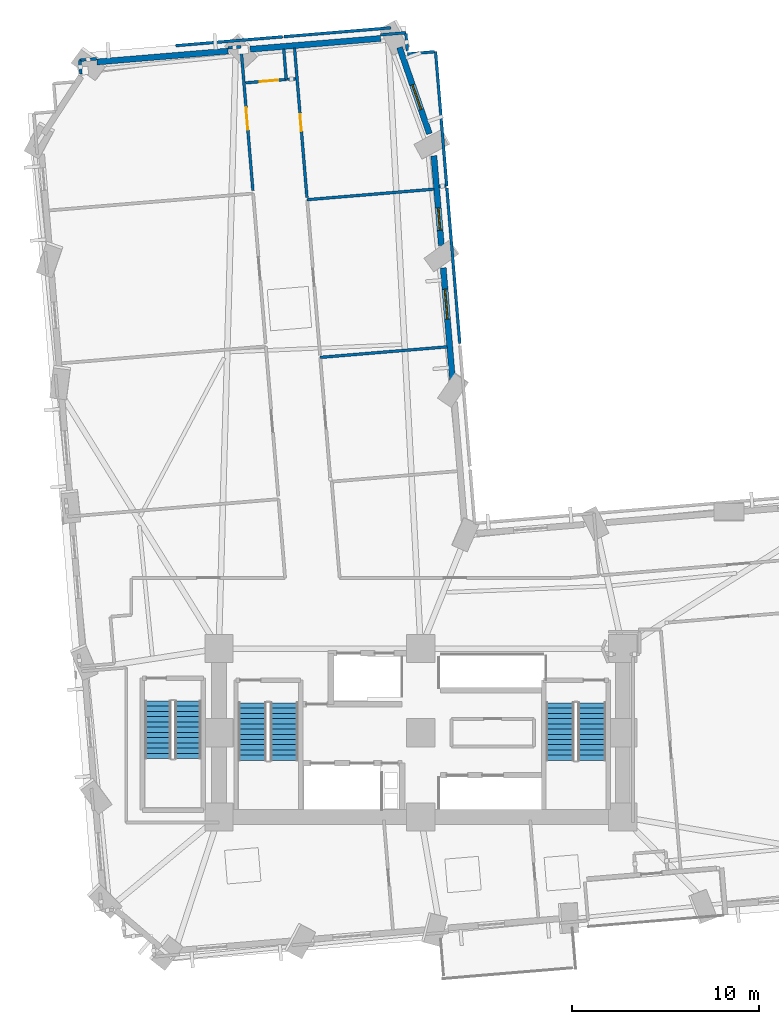
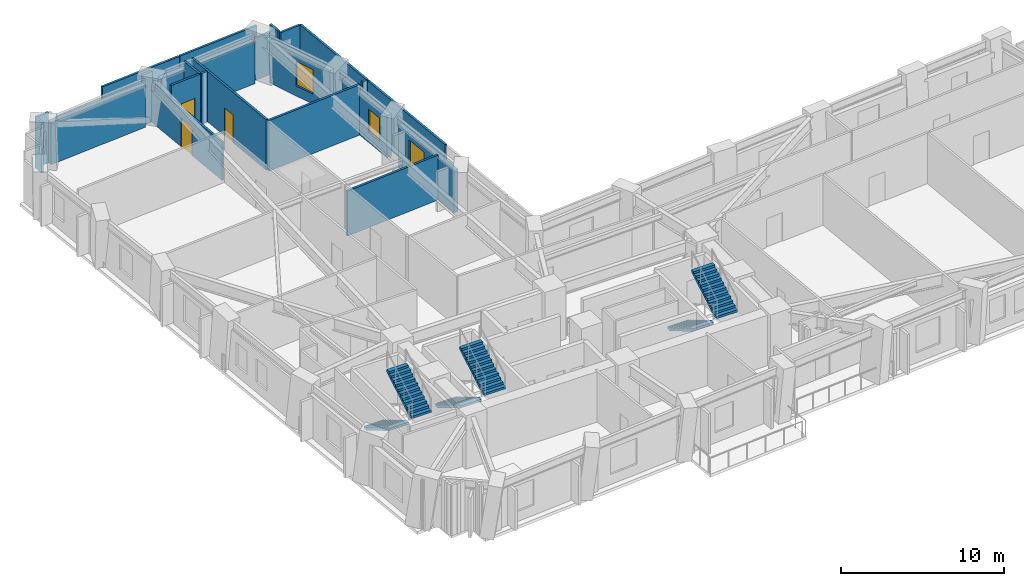
# One storey, part 10 of 14: 23 walls, 6 stair flights, 3 doors, 3 windows, 6 openings, 3 elements without a shape of their own.
"""IFC4 building model written with IfcOpenShell, lengths in metres."""

from ifc_helpers import new_model, si_unit, direction, frame, frame_2d, origin, place, context, subcontext, project, spatial, polyline, rectangle, outline, extrude, material, layer, layer_set, type_object, element, fill, aggregate, save


model = new_model("IFC4")

# Units and contexts
model_context = context("Model", 3, precision=1e-05, world=origin(), true_north=direction((0.0, 1.0)))
body_context = subcontext(model_context, "Body", "Model", "MODEL_VIEW")
ifc_project = project(units=[si_unit("LENGTHUNIT", "METRE"), si_unit("AREAUNIT", "SQUARE_METRE"), si_unit("VOLUMEUNIT", "CUBIC_METRE"), si_unit("PLANEANGLEUNIT", "RADIAN"), si_unit("MASSUNIT", "GRAM", prefix="KILO")], contexts=[model_context])

# Site, building, storey
site_placement = place(None, origin())
site = spatial("IfcSite", under=ifc_project, at=site_placement, CompositionType="ELEMENT")
building_placement = place(site_placement, origin())
building = spatial("IfcBuilding", under=site, at=building_placement, Name="Gaonmaruhae Medical Tower", CompositionType="ELEMENT")
storey_placement = place(building_placement, frame((0.0, 0.0, 43.0)))
storey = spatial("IfcBuildingStorey", under=building, at=storey_placement, Name="L09", CompositionType="ELEMENT", Elevation=43.0)

# Wall, opening, window
ifc_material_1 = material(Name="Precast concrete C45/55", Category="concrete")
ifc_layer_1 = layer(ifc_material_1, 0.320068359375)
ifc_layer_set_1 = layer_set([ifc_layer_1], Name="Precast concrete C45/55")
wall_type_1 = type_object("IfcWallType", Name="EW-320 Lower Precast Masonry-Frame Facade Wall", PredefinedType="SOLIDWALL", material=ifc_layer_set_1)
wall_1_placement = place(storey_placement, frame((26.496826171875, 31.1845703125, 0.0), z_axis=(0.0, 0.0, 1.0), x_axis=(-0.082812984625, 0.996565105539, 0.0)))
wall_1 = element("IfcWall", 1, at=wall_1_placement, inside=storey, type_object=wall_type_1, Name="L09 Precast Masonry-Frame Wall NE01-NE02", PredefinedType="SOLIDWALL", context=body_context, shape_type="SweptSolid", body=[
    extrude(rectangle(XDim=5.996337890625, YDim=0.320068359375, at=frame_2d((2.998046875, 0.0))), origin(), (0.0, 0.0, 1.0), 3.1650390625),
])
opening_1_placement = place(wall_1_placement, frame((3.24560546875, 0.0, 0.75)))
opening_1 = element("IfcOpeningElement", 2, at=opening_1_placement, cuts=wall_1, Name="Opening WN-01", PredefinedType="OPENING", context=body_context, shape_type="SweptSolid", body=[
    extrude(rectangle(XDim=1.60009765625, YDim=1.949951171875, at=frame_2d((0.800048828125, 0.97509765625))), frame((0.0, 0.169921875, 0.0), z_axis=(0.0, -1.0, 0.0), x_axis=(1.0, 0.0, 0.0)), (0.0, 0.0, 1.0), 0.340087890625),
])
ifc_material_2 = material(Name="Anodised aluminium and Low-E double glazing", Category="aluminium")
window_type_1 = type_object("IfcWindowType", Name="WN-01 Ward Punched Acoustic Window 1600x1950", PartitioningType="SINGLE_PANEL", PredefinedType="WINDOW", material=ifc_material_2)
window_1_placement = place(opening_1_placement, origin())
window_1 = element("IfcWindow", 3, at=window_1_placement, inside=storey, type_object=window_type_1, Name="L09 Modular Facade Window NE01", OverallHeight=1.949951171875, OverallWidth=1.60009765625, PartitioningType="SINGLE_PANEL", PredefinedType="WINDOW", context=body_context, shape_type="SweptSolid", body=[
    extrude(rectangle(XDim=1.60009765625, YDim=1.949951171875, at=frame_2d((0.800048828125, 0.97509765625))), frame((0.0, 0.030029296875, 0.0), z_axis=(0.0, -1.0, 0.0), x_axis=(1.0, 0.0, 0.0)), (0.0, 0.0, 1.0), 0.06005859375),
])
fill(opening_1, window_1)

wall_2_placement = place(storey_placement, frame((25.9013671875, 38.351318359375, 0.0), z_axis=(0.0, 0.0, 1.0), x_axis=(-0.082781175694, 0.996567748299, 0.0)))
wall_2 = element("IfcWall", 4, at=wall_2_placement, inside=storey, type_object=wall_type_1, Name="L09 Precast Masonry-Frame Wall NE02-NE03", PredefinedType="SOLIDWALL", context=body_context, shape_type="SweptSolid", body=[
    extrude(rectangle(XDim=4.816162109375, YDim=0.320068359375, at=frame_2d((2.408203125, 0.0))), origin(), (0.0, 0.0, 1.0), 3.1650390625),
])
opening_2_placement = place(wall_2_placement, frame((0.816162109375, 0.0, 0.75)))
opening_2 = element("IfcOpeningElement", 5, at=opening_2_placement, cuts=wall_2, Name="Opening WN-05", PredefinedType="OPENING", context=body_context, shape_type="SweptSolid", body=[
    extrude(rectangle(XDim=1.199951171875, YDim=1.75, at=frame_2d((0.60009765625, 0.875))), frame((0.0, 0.169921875, 0.0), z_axis=(0.0, -1.0, 0.0), x_axis=(1.0, 0.0, 0.0)), (0.0, 0.0, 1.0), 0.340087890625),
])
window_type_2 = type_object("IfcWindowType", Name="WN-05 Support & Staff Punched Window 1200x1750", PartitioningType="SINGLE_PANEL", PredefinedType="WINDOW", material=ifc_material_2)
window_2_placement = place(opening_2_placement, origin())
window_2 = element("IfcWindow", 6, at=window_2_placement, inside=storey, type_object=window_type_2, Name="L09 Modular Facade Window NE02", OverallHeight=1.75, OverallWidth=1.199951171875, PartitioningType="SINGLE_PANEL", PredefinedType="WINDOW", context=body_context, shape_type="SweptSolid", body=[
    extrude(rectangle(XDim=1.199951171875, YDim=1.75, at=frame_2d((0.60009765625, 0.875))), frame((0.0, 0.030029296875, 0.0), z_axis=(0.0, -1.0, 0.0), x_axis=(1.0, 0.0, 0.0)), (0.0, 0.0, 1.0), 0.06005859375),
])
fill(opening_2, window_2)

wall_3_placement = place(storey_placement, frame((23.660400390625, 48.947509765625, 0.0), z_axis=(0.0, 0.0, 1.0), x_axis=(0.327739954764, -0.9447679726, 0.0)))
wall_3 = element("IfcWall", 7, at=wall_3_placement, inside=storey, type_object=wall_type_1, Name="L09 Precast Masonry-Frame Wall NE03-N01", PredefinedType="SOLIDWALL", context=body_context, shape_type="SweptSolid", body=[
    extrude(rectangle(XDim=4.888916015625, YDim=0.320068359375, at=frame_2d((2.4443359375, 0.0))), origin(), (0.0, 0.0, 1.0), 3.1650390625),
])
opening_3_placement = place(wall_3_placement, frame((2.11474609375, 0.0, 0.75)))
opening_3 = element("IfcOpeningElement", 8, at=opening_3_placement, cuts=wall_3, Name="Opening WN-03", PredefinedType="OPENING", context=body_context, shape_type="SweptSolid", body=[
    extrude(rectangle(XDim=1.39990234375, YDim=1.85009765625, at=frame_2d((0.699951171875, 0.925048828125))), frame((0.0, 0.169921875, 0.0), z_axis=(0.0, -1.0, 0.0), x_axis=(1.0, 0.0, 0.0)), (0.0, 0.0, 1.0), 0.340087890625),
])
window_type_3 = type_object("IfcWindowType", Name="WN-03 Isolation Ward Punched Window 1400x1850", PartitioningType="SINGLE_PANEL", PredefinedType="WINDOW", material=ifc_material_2)
window_3_placement = place(opening_3_placement, origin())
window_3 = element("IfcWindow", 9, at=window_3_placement, inside=storey, type_object=window_type_3, Name="L09 Modular Facade Window NE03", OverallHeight=1.85009765625, OverallWidth=1.39990234375, PartitioningType="SINGLE_PANEL", PredefinedType="WINDOW", context=body_context, shape_type="SweptSolid", body=[
    extrude(rectangle(XDim=1.39990234375, YDim=1.85009765625, at=frame_2d((0.699951171875, 0.925048828125))), frame((0.0, 0.030029296875, 0.0), z_axis=(0.0, -1.0, 0.0), x_axis=(1.0, 0.0, 0.0)), (0.0, 0.0, 1.0), 0.06005859375),
])
fill(opening_3, window_3)

# Walls
wall_4_placement = place(storey_placement, frame((15.679443359375, 48.8486328125, 0.0), z_axis=(0.0, 0.0, 1.0), x_axis=(0.996566404155, 0.082797355694, 0.0)))
element("IfcWall", 10, at=wall_4_placement, inside=storey, type_object=wall_type_1, Name="L09 Precast Masonry-Frame Wall N01-N02", PredefinedType="SOLIDWALL", context=body_context, shape_type="SweptSolid", body=[
    extrude(rectangle(XDim=7.0029296875, YDim=0.320068359375, at=frame_2d((3.50146484375, 0.0))), origin(), (0.0, 0.0, 1.0), 3.1650390625),
])
wall_5_placement = place(storey_placement, frame((7.48828125, 48.16796875, 0.0), z_axis=(0.0, 0.0, 1.0), x_axis=(0.996565595582, 0.082807087273, 0.0)))
element("IfcWall", 11, at=wall_5_placement, inside=storey, type_object=wall_type_1, Name="L09 Precast Masonry-Frame Wall N02-N03", PredefinedType="SOLIDWALL", context=body_context, shape_type="SweptSolid", body=[
    extrude(rectangle(XDim=7.03466796875, YDim=0.320068359375, at=frame_2d((3.517333984375, 0.0))), origin(), (0.0, 0.0, 1.0), 3.1650390625),
])
ifc_material_3 = material(Name="Gypsum board partition", Category="gypsum")
ifc_layer_2 = layer(ifc_material_3, 0.14990234375)
ifc_layer_set_2 = layer_set([ifc_layer_2], Name="Gypsum board partition")
wall_type_2 = type_object("IfcWallType", Name="PW-150 Rated Clinical Corridor Partition", PredefinedType="PARTITIONING", material=ifc_layer_set_2)
wall_6_placement = place(storey_placement, frame((6.6259765625, 47.52197265625, 0.0), z_axis=(0.0, 0.0, 1.0), x_axis=(-0.083508018718, 0.996507105248, 0.0)))
element("IfcWall", 12, at=wall_6_placement, inside=storey, type_object=wall_type_2, Name="L09 Interior Partition L09-WOF11-60", PredefinedType="PARTITIONING", context=body_context, shape_type="SweptSolid", body=[
    extrude(rectangle(XDim=0.74267578125, YDim=0.14990234375, at=frame_2d((0.371337890625, 0.0))), origin(), (0.0, 0.0, 1.0), 3.780029296875),
])
wall_7_placement = place(storey_placement, frame((6.56396484375, 48.261962890625, 0.0), z_axis=(0.0, 0.0, 1.0), x_axis=(0.996538380198, 0.083133968949, 0.0)))
element("IfcWall", 13, at=wall_7_placement, inside=storey, type_object=wall_type_2, Name="L09 Interior Partition L09-WOF11-61", PredefinedType="PARTITIONING", context=body_context, shape_type="SweptSolid", body=[
    extrude(rectangle(XDim=0.913330078125, YDim=0.14990234375, at=frame_2d((0.45654296875, 0.0))), origin(), (0.0, 0.0, 1.0), 3.780029296875),
])
wall_8_placement = place(storey_placement, frame((14.485107421875, 48.919921875, 0.0), z_axis=(0.0, 0.0, 1.0), x_axis=(0.996572077737, 0.082729038891, 0.0)))
element("IfcWall", 14, at=wall_8_placement, inside=storey, type_object=wall_type_2, Name="L09 Interior Partition L09-WOF11-62", PredefinedType="PARTITIONING", context=body_context, shape_type="SweptSolid", body=[
    extrude(rectangle(XDim=0.702392578125, YDim=0.14990234375, at=frame_2d((0.35107421875, 0.0))), origin(), (0.0, 0.0, 1.0), 3.780029296875),
])

# Wall, opening, door
wall_9_placement = place(storey_placement, frame((15.18505859375, 48.97802734375, 0.0), z_axis=(0.0, 0.0, 1.0), x_axis=(0.082746711322, -0.996570610527, 0.0)))
wall_9 = element("IfcWall", 15, at=wall_9_placement, inside=storey, type_object=wall_type_2, Name="L09 Interior Partition L09-WOF11-63", PredefinedType="PARTITIONING", context=body_context, shape_type="SweptSolid", body=[
    extrude(rectangle(XDim=7.70947265625, YDim=0.14990234375, at=frame_2d((3.854736328125, 0.0))), origin(), (0.0, 0.0, 1.0), 2.864990234375),
])
opening_4_placement = place(wall_9_placement, frame((3.254638671875, 0.0, 0.0)))
opening_4 = element("IfcOpeningElement", 16, at=opening_4_placement, cuts=wall_9, Name="Opening CD-02", PredefinedType="OPENING", context=body_context, shape_type="SweptSolid", body=[
    extrude(rectangle(XDim=1.199951171875, YDim=2.14990234375, at=frame_2d((0.60009765625, 1.074951171875))), frame((0.0, 0.0849609375, 0.0), z_axis=(0.0, -1.0, 0.0), x_axis=(1.0, 0.0, 0.0)), (0.0, 0.0, 1.0), 0.169921875),
])
ifc_material_4 = material(Name="Antimicrobial laminate timber fire door", Category="wood")
door_type_1 = type_object("IfcDoorType", Name="CD-02 Clinical Treatment & Procedure Door 1200x2150", OperationType="NOTDEFINED", PredefinedType="DOOR", material=ifc_material_4)
door_1_placement = place(opening_4_placement, origin())
door_1 = element("IfcDoor", 17, at=door_1_placement, inside=storey, type_object=door_type_1, Name="L09 Ward Physician Reporting Office Door", OperationType="SINGLE_SWING_LEFT", OverallHeight=2.14990234375, OverallWidth=1.199951171875, PredefinedType="DOOR", context=body_context, shape_type="SweptSolid", body=[
    extrude(rectangle(XDim=1.199951171875, YDim=2.14990234375, at=frame_2d((0.60009765625, 1.074951171875))), frame((0.0, 0.02490234375, 0.0), z_axis=(0.0, -1.0, 0.0), x_axis=(1.0, 0.0, 0.0)), (0.0, 0.0, 1.0), 0.050048828125),
])
fill(opening_4, door_1)

# Walls
wall_10_placement = place(storey_placement, frame((19.424072265625, 32.3720703125, 0.0), z_axis=(0.0, 0.0, 1.0), x_axis=(0.996570419035, 0.08274901754, 0.0)))
element("IfcWall", 18, at=wall_10_placement, inside=storey, type_object=wall_type_2, Name="L09 Interior Partition L09-IN01-84", PredefinedType="PARTITIONING", context=body_context, shape_type="SweptSolid", body=[
    extrude(rectangle(XDim=6.8154296875, YDim=0.14990234375, at=frame_2d((3.40771484375, 0.0))), origin(), (0.0, 0.0, 1.0), 3.364990234375),
])
wall_11_placement = place(storey_placement, frame((18.72412109375, 40.802978515625, 0.0), z_axis=(0.0, 0.0, 1.0), x_axis=(0.996569192266, 0.08276379055, 0.0)))
element("IfcWall", 19, at=wall_11_placement, inside=storey, type_object=wall_type_2, Name="L09 Interior Partition L09-IN02-87", PredefinedType="PARTITIONING", context=body_context, shape_type="SweptSolid", body=[
    extrude(rectangle(XDim=6.814208984375, YDim=0.14990234375, at=frame_2d((3.4072265625, 0.0))), origin(), (0.0, 0.0, 1.0), 3.780029296875),
])
wall_12_placement = place(storey_placement, frame((26.197998046875, 41.424072265625, 0.0), z_axis=(0.0, 0.0, 1.0), x_axis=(0.082846815437, -0.996562293674, 0.0)))
element("IfcWall", 20, at=wall_12_placement, inside=storey, type_object=wall_type_2, Name="L09 Interior Partition L09-IN02-88", PredefinedType="PARTITIONING", context=body_context, shape_type="SweptSolid", body=[
    extrude(rectangle(XDim=8.339599609375, YDim=0.14990234375, at=frame_2d((4.169921875, 0.0))), origin(), (0.0, 0.0, 1.0), 3.780029296875),
])
wall_13_placement = place(storey_placement, frame((25.592041015625, 48.718994140625, 0.0), z_axis=(0.0, 0.0, 1.0), x_axis=(0.082773264745, -0.996568405401, 0.0)))
element("IfcWall", 21, at=wall_13_placement, inside=storey, type_object=wall_type_2, Name="L09 Interior Partition L09-IN03-89", PredefinedType="PARTITIONING", context=body_context, shape_type="SweptSolid", body=[
    extrude(rectangle(XDim=7.19970703125, YDim=0.14990234375, at=frame_2d((3.599853515625, 0.0))), origin(), (0.0, 0.0, 1.0), 3.780029296875),
])
wall_14_placement = place(storey_placement, frame((26.137939453125, 41.5400390625, 0.0), z_axis=(0.0, 0.0, 1.0), x_axis=(-0.996614559718, -0.082215688025, 0.0)))
element("IfcWall", 22, at=wall_14_placement, inside=storey, type_object=wall_type_2, Name="L09 Interior Partition L09-IN03-90", PredefinedType="PARTITIONING", context=body_context, shape_type="SweptSolid", body=[
    extrude(rectangle(XDim=0.365234375, YDim=0.14990234375, at=frame_2d((0.1826171875, 0.0))), origin(), (0.0, 0.0, 1.0), 3.780029296875),
])

# Wall, opening, door
wall_15_placement = place(storey_placement, frame((18.714111328125, 40.923095703125, 0.0), z_axis=(0.0, 0.0, 1.0), x_axis=(-0.082858919776, 0.996561287334, 0.0)))
wall_15 = element("IfcWall", 23, at=wall_15_placement, inside=storey, type_object=wall_type_2, Name="L09 Interior Partition L09-IN03-91", PredefinedType="PARTITIONING", context=body_context, shape_type="SweptSolid", body=[
    extrude(rectangle(XDim=8.014404296875, YDim=0.14990234375, at=frame_2d((4.00732421875, 0.0))), origin(), (0.0, 0.0, 1.0), 3.780029296875),
])
opening_5_placement = place(wall_15_placement, frame((3.54736328125, 0.0, 0.0)))
opening_5 = element("IfcOpeningElement", 24, at=opening_5_placement, cuts=wall_15, Name="Opening UD-01", PredefinedType="OPENING", context=body_context, shape_type="SweptSolid", body=[
    extrude(rectangle(XDim=0.919921875, YDim=2.10009765625, at=frame_2d((0.4599609375, 1.050048828125))), frame((0.0, 0.0849609375, 0.0), z_axis=(0.0, -1.0, 0.0), x_axis=(1.0, 0.0, 0.0)), (0.0, 0.0, 1.0), 0.169921875),
])
ifc_material_5 = material(Name="Powder-coated steel utility door", Category="steel")
door_type_2 = type_object("IfcDoorType", Name="UD-01 Toilet, Utility & Housekeeping Door 920x2100", OperationType="NOTDEFINED", PredefinedType="DOOR", material=ifc_material_5)
door_2_placement = place(opening_5_placement, origin())
door_2 = element("IfcDoor", 25, at=door_2_placement, inside=storey, type_object=door_type_2, Name="L09 Public Visitor Toilet Door", OperationType="SINGLE_SWING_LEFT", OverallHeight=2.10009765625, OverallWidth=0.919921875, PredefinedType="DOOR", context=body_context, shape_type="SweptSolid", body=[
    extrude(rectangle(XDim=0.919921875, YDim=2.10009765625, at=frame_2d((0.4599609375, 1.050048828125))), frame((0.0, 0.02490234375, 0.0), z_axis=(0.0, -1.0, 0.0), x_axis=(1.0, 0.0, 0.0)), (0.0, 0.0, 1.0), 0.050048828125),
])
fill(opening_5, door_2)

# Walls
wall_16_placement = place(storey_placement, frame((22.64306640625, 49.617919921875, 0.0), z_axis=(0.0, 0.0, 1.0), x_axis=(0.996563011348, 0.082838182092, 0.0)))
element("IfcWall", 26, at=wall_16_placement, inside=storey, type_object=wall_type_2, Name="L09 Interior Partition L09-IN03-92", PredefinedType="PARTITIONING", context=body_context, shape_type="SweptSolid", body=[
    extrude(rectangle(XDim=1.364501953125, YDim=0.14990234375, at=frame_2d((0.68212890625, 0.0))), origin(), (0.0, 0.0, 1.0), 3.1650390625),
])
wall_17_placement = place(storey_placement, frame((24.007080078125, 49.680908203125, 0.0), z_axis=(0.0, 0.0, 1.0), x_axis=(0.082891074815, -0.996558613287, 0.0)))
element("IfcWall", 27, at=wall_17_placement, inside=storey, type_object=wall_type_2, Name="L09 Interior Partition L09-IN03-93", PredefinedType="PARTITIONING", context=body_context, shape_type="SweptSolid", body=[
    extrude(rectangle(XDim=0.916015625, YDim=0.14990234375, at=frame_2d((0.4580078125, 0.0))), origin(), (0.0, 0.0, 1.0), 3.780029296875),
])
wall_18_placement = place(storey_placement, frame((24.096923828125, 48.594970703125, 0.0), z_axis=(0.0, 0.0, 1.0), x_axis=(0.996563153583, 0.082836470952, 0.0)))
element("IfcWall", 28, at=wall_18_placement, inside=storey, type_object=wall_type_2, Name="L09 Interior Partition L09-IN03-94", PredefinedType="PARTITIONING", context=body_context, shape_type="SweptSolid", body=[
    extrude(rectangle(XDim=1.449951171875, YDim=0.14990234375, at=frame_2d((0.72509765625, 0.0))), origin(), (0.0, 0.0, 1.0), 3.780029296875),
])
wall_19_placement = place(storey_placement, frame((11.697998046875, 49.0400390625, 0.0), z_axis=(0.0, 0.0, 1.0), x_axis=(0.996571817192, 0.082732177406, 0.0)))
element("IfcWall", 29, at=wall_19_placement, inside=storey, type_object=wall_type_2, Name="L09 Interior Partition L09-RM01-95", PredefinedType="PARTITIONING", context=body_context, shape_type="SweptSolid", body=[
    extrude(rectangle(XDim=5.73974609375, YDim=0.14990234375, at=frame_2d((2.869873046875, 0.0))), origin(), (0.0, 0.0, 1.0), 3.780029296875),
])
wall_20_placement = place(storey_placement, frame((17.471923828125, 48.862060546875, 0.0), z_axis=(0.0, 0.0, 1.0), x_axis=(0.08258816432, -0.996583762217, 0.0)))
element("IfcWall", 30, at=wall_20_placement, inside=storey, type_object=wall_type_2, Name="L09 Interior Partition L09-RM01-96", PredefinedType="PARTITIONING", context=body_context, shape_type="SweptSolid", body=[
    extrude(rectangle(XDim=1.634765625, YDim=0.14990234375, at=frame_2d((0.8173828125, 0.0))), origin(), (0.0, 0.0, 1.0), 3.780029296875),
])

# Wall, opening, door
wall_21_placement = place(storey_placement, frame((17.60693359375, 47.23291015625, 0.0), z_axis=(0.0, 0.0, 1.0), x_axis=(-0.996564333674, -0.082822272657, 0.0)))
wall_21 = element("IfcWall", 31, at=wall_21_placement, inside=storey, type_object=wall_type_2, Name="L09 Interior Partition L09-RM01-97", PredefinedType="PARTITIONING", context=body_context, shape_type="SweptSolid", body=[
    extrude(rectangle(XDim=2.172607421875, YDim=0.14990234375, at=frame_2d((1.08642578125, 0.0))), origin(), (0.0, 0.0, 1.0), 3.780029296875),
])
opening_6_placement = place(wall_21_placement, frame((0.4208984375, 0.0, 0.0)))
opening_6 = element("IfcOpeningElement", 32, at=opening_6_placement, cuts=wall_21, Name="Opening CD-01", PredefinedType="OPENING", context=body_context, shape_type="SweptSolid", body=[
    extrude(rectangle(XDim=1.0, YDim=2.1201171875, at=frame_2d((0.5, 1.06005859375))), frame((0.0, 0.0849609375, 0.0), z_axis=(0.0, -1.0, 0.0), x_axis=(1.0, 0.0, 0.0)), (0.0, 0.0, 1.0), 0.169921875),
])
door_type_3 = type_object("IfcDoorType", Name="CD-01 Consultation & Physician Office Door 1000x2120", OperationType="NOTDEFINED", PredefinedType="DOOR", material=ifc_material_4)
door_3_placement = place(opening_6_placement, origin())
door_3 = element("IfcDoor", 33, at=door_3_placement, inside=storey, type_object=door_type_3, Name="L09 Clinical Case Review Office Door", OperationType="SINGLE_SWING_LEFT", OverallHeight=2.1201171875, OverallWidth=1.0, PredefinedType="DOOR", context=body_context, shape_type="SweptSolid", body=[
    extrude(rectangle(XDim=1.0, YDim=2.1201171875, at=frame_2d((0.5, 1.06005859375))), frame((0.0, 0.02490234375, 0.0), z_axis=(0.0, -1.0, 0.0), x_axis=(1.0, 0.0, 0.0)), (0.0, 0.0, 1.0), 0.050048828125),
])
fill(opening_6, door_3)

# Walls
wall_22_placement = place(storey_placement, frame((18.110107421875, 47.262939453125, 0.0), z_axis=(0.0, 0.0, 1.0), x_axis=(-0.998424603538, -0.05610981243, 0.0)))
element("IfcWall", 34, at=wall_22_placement, inside=storey, type_object=wall_type_2, Name="L09 Interior Partition L09-RM02-98", PredefinedType="PARTITIONING", context=body_context, shape_type="SweptSolid", body=[
    extrude(rectangle(XDim=0.44384765625, YDim=0.14990234375, at=frame_2d((0.221923828125, 0.0))), origin(), (0.0, 0.0, 1.0), 3.780029296875),
])
wall_23_placement = place(storey_placement, frame((17.47802734375, 49.52001953125, 0.0), z_axis=(0.0, 0.0, 1.0), x_axis=(0.996568309292, 0.082774421865, 0.0)))
element("IfcWall", 35, at=wall_23_placement, inside=storey, type_object=wall_type_2, Name="L09 Interior Partition L09-RM02-99", PredefinedType="PARTITIONING", context=body_context, shape_type="SweptSolid", body=[
    extrude(rectangle(XDim=5.73974609375, YDim=0.14990234375, at=frame_2d((2.869873046875, 0.0))), origin(), (0.0, 0.0, 1.0), 3.780029296875),
])

# Stair, stair flights
ifc_material_6 = material(Name="Concrete C40/50", Category="concrete")
stair_type_1 = type_object("IfcStairType", Name="ST-T1 Primary Core Escape Dogleg Stair", PredefinedType="TWO_QUARTER_TURN_STAIR", material=ifc_material_6)
stair_1_placement = place(storey_placement, origin())
stair_1 = element("IfcStair", 36, at=stair_1_placement, inside=storey, type_object=stair_type_1, Name="L09 Protected Escape Stair ST-01", PredefinedType="TWO_QUARTER_TURN_STAIR")
stair_flight_type_1 = type_object("IfcStairFlightType", Name="SF-T1 Primary Core Precast Stair Flight", PredefinedType="STRAIGHT", material=ifc_material_6)
stair_flight_1_placement = place(storey_placement, frame((15.800048828125, 13.89990234375, 0.0), z_axis=(0.0, 0.0, 1.0), x_axis=(0.0, -1.0, 0.0)))
stair_flight_1 = element("IfcStairFlight", 37, at=stair_flight_1_placement, type_object=stair_flight_type_1, Name="ST-01 flight 1", NumberOfRisers=12, NumberOfTreads=11, PredefinedType="STRAIGHT", RiserHeight=0.166666667, TreadLength=0.28, context=body_context, shape_type="SweptSolid", body=[
    extrude(outline(polyline([(0.0, 0.0), (0.0, 0.166748046875), (0.280029296875, 0.166748046875), (0.280029296875, 0.333251953125), (0.56005859375, 0.333251953125), (0.56005859375, 0.5), (0.840087890625, 0.5), (0.840087890625, 0.666748046875), (1.1201171875, 0.666748046875), (1.1201171875, 0.833251953125), (1.39990234375, 0.833251953125), (1.39990234375, 1.0), (1.679931640625, 1.0), (1.679931640625, 1.166748046875), (1.9599609375, 1.166748046875), (1.9599609375, 1.333251953125), (2.239990234375, 1.333251953125), (2.239990234375, 1.5), (2.52001953125, 1.5), (2.52001953125, 1.666748046875), (2.800048828125, 1.666748046875), (2.800048828125, 1.833251953125), (3.080078125, 1.833251953125), (3.080078125, 2.0), (3.080078125, 1.658935546875), (0.29296875, 0.0), (0.0, 0.0)])), frame((0.0, 0.75, 0.0), z_axis=(0.0, -1.0, 0.0), x_axis=(1.0, 0.0, 0.0)), (0.0, 0.0, 1.0), 1.5),
])
stair_flight_2_placement = place(storey_placement, frame((17.5, 10.820068359375, 2.0), z_axis=(0.0, 0.0, 1.0), x_axis=(0.0, 1.0, 0.0)))
stair_flight_2 = element("IfcStairFlight", 38, at=stair_flight_2_placement, type_object=stair_flight_type_1, Name="ST-01 flight 2", NumberOfRisers=12, NumberOfTreads=11, PredefinedType="STRAIGHT", RiserHeight=0.166666667, TreadLength=0.28, context=body_context, shape_type="SweptSolid", body=[
    extrude(outline(polyline([(0.0, 0.0), (0.0, 0.166748046875), (0.280029296875, 0.166748046875), (0.280029296875, 0.333251953125), (0.56005859375, 0.333251953125), (0.56005859375, 0.5), (0.840087890625, 0.5), (0.840087890625, 0.666748046875), (1.1201171875, 0.666748046875), (1.1201171875, 0.833251953125), (1.39990234375, 0.833251953125), (1.39990234375, 1.0), (1.679931640625, 1.0), (1.679931640625, 1.166748046875), (1.9599609375, 1.166748046875), (1.9599609375, 1.333251953125), (2.239990234375, 1.333251953125), (2.239990234375, 1.5), (2.52001953125, 1.5), (2.52001953125, 1.666748046875), (2.800048828125, 1.666748046875), (2.800048828125, 1.833251953125), (3.080078125, 1.833251953125), (3.080078125, 2.0), (3.080078125, 1.658935546875), (0.29296875, 0.0), (0.0, 0.0)])), frame((0.0, 0.75, 0.0), z_axis=(0.0, -1.0, 0.0), x_axis=(1.0, 0.0, 0.0)), (0.0, 0.0, 1.0), 1.5),
])
aggregate(stair_1, [stair_flight_1, stair_flight_2])

stair_2_placement = place(storey_placement, origin())
stair_2 = element("IfcStair", 39, at=stair_2_placement, inside=storey, type_object=stair_type_1, Name="L09 Protected Escape Stair ST-02", PredefinedType="TWO_QUARTER_TURN_STAIR")
stair_flight_3_placement = place(storey_placement, frame((32.25, 13.89990234375, 0.0), z_axis=(0.0, 0.0, 1.0), x_axis=(0.0, -1.0, 0.0)))
stair_flight_3 = element("IfcStairFlight", 40, at=stair_flight_3_placement, type_object=stair_flight_type_1, Name="ST-02 flight 1", NumberOfRisers=12, NumberOfTreads=11, PredefinedType="STRAIGHT", RiserHeight=0.166666667, TreadLength=0.28, context=body_context, shape_type="SweptSolid", body=[
    extrude(outline(polyline([(0.0, 0.0), (0.0, 0.166748046875), (0.280029296875, 0.166748046875), (0.280029296875, 0.333251953125), (0.56005859375, 0.333251953125), (0.56005859375, 0.5), (0.840087890625, 0.5), (0.840087890625, 0.666748046875), (1.1201171875, 0.666748046875), (1.1201171875, 0.833251953125), (1.39990234375, 0.833251953125), (1.39990234375, 1.0), (1.679931640625, 1.0), (1.679931640625, 1.166748046875), (1.9599609375, 1.166748046875), (1.9599609375, 1.333251953125), (2.239990234375, 1.333251953125), (2.239990234375, 1.5), (2.52001953125, 1.5), (2.52001953125, 1.666748046875), (2.800048828125, 1.666748046875), (2.800048828125, 1.833251953125), (3.080078125, 1.833251953125), (3.080078125, 2.0), (3.080078125, 1.658935546875), (0.29296875, 0.0), (0.0, 0.0)])), frame((0.0, 0.75, 0.0), z_axis=(0.0, -1.0, 0.0), x_axis=(1.0, 0.0, 0.0)), (0.0, 0.0, 1.0), 1.5),
])
stair_flight_4_placement = place(storey_placement, frame((33.949951171875, 10.820068359375, 2.0), z_axis=(0.0, 0.0, 1.0), x_axis=(0.0, 1.0, 0.0)))
stair_flight_4 = element("IfcStairFlight", 41, at=stair_flight_4_placement, type_object=stair_flight_type_1, Name="ST-02 flight 2", NumberOfRisers=12, NumberOfTreads=11, PredefinedType="STRAIGHT", RiserHeight=0.166666667, TreadLength=0.28, context=body_context, shape_type="SweptSolid", body=[
    extrude(outline(polyline([(0.0, 0.0), (0.0, 0.166748046875), (0.280029296875, 0.166748046875), (0.280029296875, 0.333251953125), (0.56005859375, 0.333251953125), (0.56005859375, 0.5), (0.840087890625, 0.5), (0.840087890625, 0.666748046875), (1.1201171875, 0.666748046875), (1.1201171875, 0.833251953125), (1.39990234375, 0.833251953125), (1.39990234375, 1.0), (1.679931640625, 1.0), (1.679931640625, 1.166748046875), (1.9599609375, 1.166748046875), (1.9599609375, 1.333251953125), (2.239990234375, 1.333251953125), (2.239990234375, 1.5), (2.52001953125, 1.5), (2.52001953125, 1.666748046875), (2.800048828125, 1.666748046875), (2.800048828125, 1.833251953125), (3.080078125, 1.833251953125), (3.080078125, 2.0), (3.080078125, 1.658935546875), (0.29296875, 0.0), (0.0, 0.0)])), frame((0.0, 0.75, 0.0), z_axis=(0.0, -1.0, 0.0), x_axis=(1.0, 0.0, 0.0)), (0.0, 0.0, 1.0), 1.5),
])
aggregate(stair_2, [stair_flight_3, stair_flight_4])

stair_type_2 = type_object("IfcStairType", Name="ST-T2 Zone 1 Escape Dogleg Stair", PredefinedType="TWO_QUARTER_TURN_STAIR", material=ifc_material_6)
stair_3_placement = place(storey_placement, origin())
stair_3 = element("IfcStair", 42, at=stair_3_placement, inside=storey, type_object=stair_type_2, Name="L09 Protected Escape Stair ST-03", PredefinedType="TWO_QUARTER_TURN_STAIR")
stair_flight_type_2 = type_object("IfcStairFlightType", Name="SF-T2 Zone 1 Precast Stair Flight", PredefinedType="STRAIGHT", material=ifc_material_6)
stair_flight_5_placement = place(storey_placement, frame((10.75, 14.0, 0.0), z_axis=(0.0, 0.0, 1.0), x_axis=(0.0, -1.0, 0.0)))
stair_flight_5 = element("IfcStairFlight", 43, at=stair_flight_5_placement, type_object=stair_flight_type_2, Name="ST-03 flight 1", NumberOfRisers=12, NumberOfTreads=11, PredefinedType="STRAIGHT", RiserHeight=0.166666667, TreadLength=0.28, context=body_context, shape_type="SweptSolid", body=[
    extrude(outline(polyline([(0.0, 0.0), (0.0, 0.166748046875), (0.280029296875, 0.166748046875), (0.280029296875, 0.333251953125), (0.56005859375, 0.333251953125), (0.56005859375, 0.5), (0.840087890625, 0.5), (0.840087890625, 0.666748046875), (1.1201171875, 0.666748046875), (1.1201171875, 0.833251953125), (1.39990234375, 0.833251953125), (1.39990234375, 1.0), (1.679931640625, 1.0), (1.679931640625, 1.166748046875), (1.9599609375, 1.166748046875), (1.9599609375, 1.333251953125), (2.239990234375, 1.333251953125), (2.239990234375, 1.5), (2.52001953125, 1.5), (2.52001953125, 1.666748046875), (2.800048828125, 1.666748046875), (2.800048828125, 1.833251953125), (3.080078125, 1.833251953125), (3.080078125, 2.0), (3.080078125, 1.658935546875), (0.29296875, 0.0), (0.0, 0.0)])), frame((0.0, 0.699951171875, 0.0), z_axis=(0.0, -1.0, 0.0), x_axis=(1.0, 0.0, 0.0)), (0.0, 0.0, 1.0), 1.39990234375),
])
stair_flight_6_placement = place(storey_placement, frame((12.35009765625, 10.919921875, 2.0), z_axis=(0.0, 0.0, 1.0), x_axis=(0.0, 1.0, 0.0)))
stair_flight_6 = element("IfcStairFlight", 44, at=stair_flight_6_placement, type_object=stair_flight_type_2, Name="ST-03 flight 2", NumberOfRisers=12, NumberOfTreads=11, PredefinedType="STRAIGHT", RiserHeight=0.166666667, TreadLength=0.28, context=body_context, shape_type="SweptSolid", body=[
    extrude(outline(polyline([(0.0, 0.0), (0.0, 0.166748046875), (0.280029296875, 0.166748046875), (0.280029296875, 0.333251953125), (0.56005859375, 0.333251953125), (0.56005859375, 0.5), (0.840087890625, 0.5), (0.840087890625, 0.666748046875), (1.1201171875, 0.666748046875), (1.1201171875, 0.833251953125), (1.39990234375, 0.833251953125), (1.39990234375, 1.0), (1.679931640625, 1.0), (1.679931640625, 1.166748046875), (1.9599609375, 1.166748046875), (1.9599609375, 1.333251953125), (2.239990234375, 1.333251953125), (2.239990234375, 1.5), (2.52001953125, 1.5), (2.52001953125, 1.666748046875), (2.800048828125, 1.666748046875), (2.800048828125, 1.833251953125), (3.080078125, 1.833251953125), (3.080078125, 2.0), (3.080078125, 1.658935546875), (0.29296875, 0.0), (0.0, 0.0)])), frame((0.0, 0.699951171875, 0.0), z_axis=(0.0, -1.0, 0.0), x_axis=(1.0, 0.0, 0.0)), (0.0, 0.0, 1.0), 1.39990234375),
])
aggregate(stair_3, [stair_flight_5, stair_flight_6])

save(model, "model.ifc")
